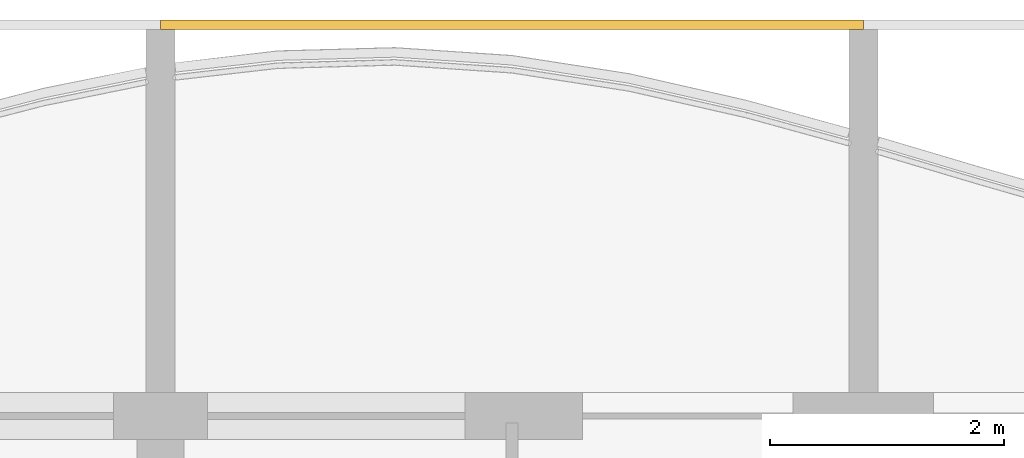
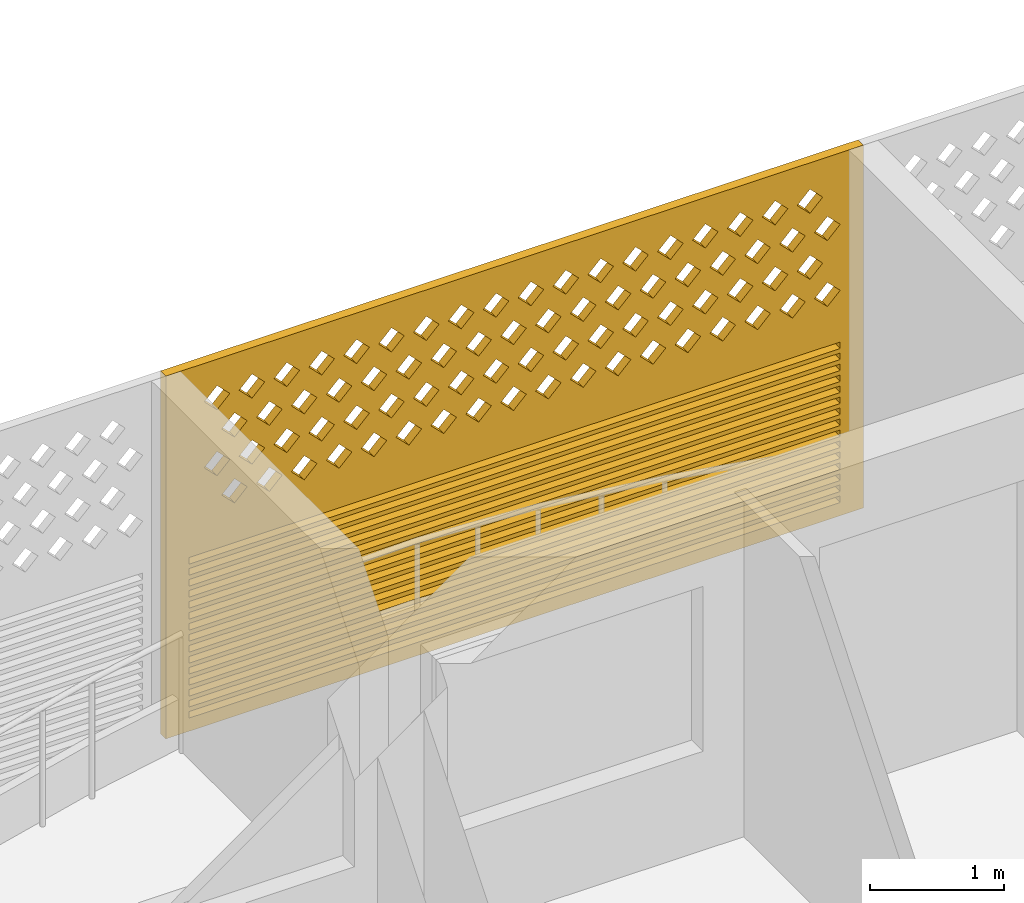
# One storey, part 35 of 44: 1 covering.
"""IFC4 building model written with IfcOpenShell, lengths in metres."""

from ifc_helpers import new_model, si_unit, direction, frame, origin, place, context, subcontext, project, spatial, polyline, outline, extrude, source, transform, mapped, material, material_profile, profile_set, type_object, element, save


model = new_model("IFC4")

# Units and contexts
model_context = context("Model", 3, precision=1e-05, world=origin(), true_north=direction((0.0, 1.0)))
body_context = subcontext(model_context, "Body", "Model", "MODEL_VIEW")
ifc_project = project(units=[si_unit("LENGTHUNIT", "METRE"), si_unit("AREAUNIT", "SQUARE_METRE"), si_unit("VOLUMEUNIT", "CUBIC_METRE"), si_unit("PLANEANGLEUNIT", "RADIAN"), si_unit("MASSUNIT", "GRAM", prefix="KILO")], contexts=[model_context])

# Site, building, storey
site_placement = place(None, origin())
site = spatial("IfcSite", under=ifc_project, at=site_placement, CompositionType="ELEMENT")
building_placement = place(site_placement, origin())
building = spatial("IfcBuilding", under=site, at=building_placement, Name="Poui Terraces", CompositionType="ELEMENT")
storey_placement = place(building_placement, frame((0.0, 0.0, 30.0)))
storey = spatial("IfcBuildingStorey", under=building, at=storey_placement, Name="L07", CompositionType="ELEMENT", Elevation=30.0)

# Covering
ifc_material = material(Name="Terracotta screen", Category="masonry")
ifc_material_profile = material_profile(ifc_material, outline(polyline([(-3.0, -1.64990234375), (3.0, -1.64990234375), (3.0, 1.64990234375), (-3.0, 1.64990234375), (-3.0, -1.64990234375)]), holes=[polyline([(-2.800048828125, 0.39990234375), (-2.68994140625, 0.2900390625), (-2.580078125, 0.39990234375), (-2.68994140625, 0.510009765625), (-2.800048828125, 0.39990234375)]), polyline([(-2.5, 0.39990234375), (-2.389892578125, 0.2900390625), (-2.280029296875, 0.39990234375), (-2.389892578125, 0.510009765625), (-2.5, 0.39990234375)]), polyline([(-2.199951171875, 0.39990234375), (-2.090087890625, 0.2900390625), (-1.97998046875, 0.39990234375), (-2.090087890625, 0.510009765625), (-2.199951171875, 0.39990234375)]), polyline([(-1.89990234375, 0.39990234375), (-1.7900390625, 0.2900390625), (-1.679931640625, 0.39990234375), (-1.7900390625, 0.510009765625), (-1.89990234375, 0.39990234375)]), polyline([(-1.60009765625, 0.39990234375), (-1.489990234375, 0.2900390625), (-1.3798828125, 0.39990234375), (-1.489990234375, 0.510009765625), (-1.60009765625, 0.39990234375)]), polyline([(-1.300048828125, 0.39990234375), (-1.18994140625, 0.2900390625), (-1.080078125, 0.39990234375), (-1.18994140625, 0.510009765625), (-1.300048828125, 0.39990234375)]), polyline([(-1.0, 0.39990234375), (-0.889892578125, 0.2900390625), (-0.780029296875, 0.39990234375), (-0.889892578125, 0.510009765625), (-1.0, 0.39990234375)]), polyline([(-0.699951171875, 0.39990234375), (-0.590087890625, 0.2900390625), (-0.47998046875, 0.39990234375), (-0.590087890625, 0.510009765625), (-0.699951171875, 0.39990234375)]), polyline([(-0.39990234375, 0.39990234375), (-0.2900390625, 0.2900390625), (-0.179931640625, 0.39990234375), (-0.2900390625, 0.510009765625), (-0.39990234375, 0.39990234375)]), polyline([(-0.10009765625, 0.39990234375), (0.010009765625, 0.2900390625), (0.1201171875, 0.39990234375), (0.010009765625, 0.510009765625), (-0.10009765625, 0.39990234375)]), polyline([(0.199951171875, 0.39990234375), (0.31005859375, 0.2900390625), (0.419921875, 0.39990234375), (0.31005859375, 0.510009765625), (0.199951171875, 0.39990234375)]), polyline([(0.5, 0.39990234375), (0.610107421875, 0.2900390625), (0.719970703125, 0.39990234375), (0.610107421875, 0.510009765625), (0.5, 0.39990234375)]), polyline([(0.800048828125, 0.39990234375), (0.909912109375, 0.2900390625), (1.02001953125, 0.39990234375), (0.909912109375, 0.510009765625), (0.800048828125, 0.39990234375)]), polyline([(1.10009765625, 0.39990234375), (1.2099609375, 0.2900390625), (1.320068359375, 0.39990234375), (1.2099609375, 0.510009765625), (1.10009765625, 0.39990234375)]), polyline([(1.39990234375, 0.39990234375), (1.510009765625, 0.2900390625), (1.6201171875, 0.39990234375), (1.510009765625, 0.510009765625), (1.39990234375, 0.39990234375)]), polyline([(1.699951171875, 0.39990234375), (1.81005859375, 0.2900390625), (1.919921875, 0.39990234375), (1.81005859375, 0.510009765625), (1.699951171875, 0.39990234375)]), polyline([(2.0, 0.39990234375), (2.110107421875, 0.2900390625), (2.219970703125, 0.39990234375), (2.110107421875, 0.510009765625), (2.0, 0.39990234375)]), polyline([(2.300048828125, 0.39990234375), (2.409912109375, 0.2900390625), (2.52001953125, 0.39990234375), (2.409912109375, 0.510009765625), (2.300048828125, 0.39990234375)]), polyline([(-2.64990234375, 0.699951171875), (-2.5400390625, 0.590087890625), (-2.429931640625, 0.699951171875), (-2.5400390625, 0.81005859375), (-2.64990234375, 0.699951171875)]), polyline([(-2.35009765625, 0.699951171875), (-2.239990234375, 0.590087890625), (-2.1298828125, 0.699951171875), (-2.239990234375, 0.81005859375), (-2.35009765625, 0.699951171875)]), polyline([(-2.050048828125, 0.699951171875), (-1.93994140625, 0.590087890625), (-1.830078125, 0.699951171875), (-1.93994140625, 0.81005859375), (-2.050048828125, 0.699951171875)]), polyline([(-1.75, 0.699951171875), (-1.639892578125, 0.590087890625), (-1.530029296875, 0.699951171875), (-1.639892578125, 0.81005859375), (-1.75, 0.699951171875)]), polyline([(-1.449951171875, 0.699951171875), (-1.340087890625, 0.590087890625), (-1.22998046875, 0.699951171875), (-1.340087890625, 0.81005859375), (-1.449951171875, 0.699951171875)]), polyline([(-1.14990234375, 0.699951171875), (-1.0400390625, 0.590087890625), (-0.929931640625, 0.699951171875), (-1.0400390625, 0.81005859375), (-1.14990234375, 0.699951171875)]), polyline([(-0.85009765625, 0.699951171875), (-0.739990234375, 0.590087890625), (-0.6298828125, 0.699951171875), (-0.739990234375, 0.81005859375), (-0.85009765625, 0.699951171875)]), polyline([(-0.550048828125, 0.699951171875), (-0.43994140625, 0.590087890625), (-0.330078125, 0.699951171875), (-0.43994140625, 0.81005859375), (-0.550048828125, 0.699951171875)]), polyline([(-0.25, 0.699951171875), (-0.139892578125, 0.590087890625), (-0.030029296875, 0.699951171875), (-0.139892578125, 0.81005859375), (-0.25, 0.699951171875)]), polyline([(0.050048828125, 0.699951171875), (0.159912109375, 0.590087890625), (0.27001953125, 0.699951171875), (0.159912109375, 0.81005859375), (0.050048828125, 0.699951171875)]), polyline([(0.35009765625, 0.699951171875), (0.4599609375, 0.590087890625), (0.570068359375, 0.699951171875), (0.4599609375, 0.81005859375), (0.35009765625, 0.699951171875)]), polyline([(0.64990234375, 0.699951171875), (0.760009765625, 0.590087890625), (0.8701171875, 0.699951171875), (0.760009765625, 0.81005859375), (0.64990234375, 0.699951171875)]), polyline([(0.949951171875, 0.699951171875), (1.06005859375, 0.590087890625), (1.169921875, 0.699951171875), (1.06005859375, 0.81005859375), (0.949951171875, 0.699951171875)]), polyline([(1.25, 0.699951171875), (1.360107421875, 0.590087890625), (1.469970703125, 0.699951171875), (1.360107421875, 0.81005859375), (1.25, 0.699951171875)]), polyline([(1.550048828125, 0.699951171875), (1.659912109375, 0.590087890625), (1.77001953125, 0.699951171875), (1.659912109375, 0.81005859375), (1.550048828125, 0.699951171875)]), polyline([(1.85009765625, 0.699951171875), (1.9599609375, 0.590087890625), (2.070068359375, 0.699951171875), (1.9599609375, 0.81005859375), (1.85009765625, 0.699951171875)]), polyline([(2.14990234375, 0.699951171875), (2.260009765625, 0.590087890625), (2.3701171875, 0.699951171875), (2.260009765625, 0.81005859375), (2.14990234375, 0.699951171875)]), polyline([(2.449951171875, 0.699951171875), (2.56005859375, 0.590087890625), (2.669921875, 0.699951171875), (2.56005859375, 0.81005859375), (2.449951171875, 0.699951171875)]), polyline([(-2.800048828125, 1.0), (-2.68994140625, 0.889892578125), (-2.580078125, 1.0), (-2.68994140625, 1.110107421875), (-2.800048828125, 1.0)]), polyline([(-2.5, 1.0), (-2.389892578125, 0.889892578125), (-2.280029296875, 1.0), (-2.389892578125, 1.110107421875), (-2.5, 1.0)]), polyline([(-2.199951171875, 1.0), (-2.090087890625, 0.889892578125), (-1.97998046875, 1.0), (-2.090087890625, 1.110107421875), (-2.199951171875, 1.0)]), polyline([(-1.89990234375, 1.0), (-1.7900390625, 0.889892578125), (-1.679931640625, 1.0), (-1.7900390625, 1.110107421875), (-1.89990234375, 1.0)]), polyline([(-1.60009765625, 1.0), (-1.489990234375, 0.889892578125), (-1.3798828125, 1.0), (-1.489990234375, 1.110107421875), (-1.60009765625, 1.0)]), polyline([(-1.300048828125, 1.0), (-1.18994140625, 0.889892578125), (-1.080078125, 1.0), (-1.18994140625, 1.110107421875), (-1.300048828125, 1.0)]), polyline([(-1.0, 1.0), (-0.889892578125, 0.889892578125), (-0.780029296875, 1.0), (-0.889892578125, 1.110107421875), (-1.0, 1.0)]), polyline([(-0.699951171875, 1.0), (-0.590087890625, 0.889892578125), (-0.47998046875, 1.0), (-0.590087890625, 1.110107421875), (-0.699951171875, 1.0)]), polyline([(-0.39990234375, 1.0), (-0.2900390625, 0.889892578125), (-0.179931640625, 1.0), (-0.2900390625, 1.110107421875), (-0.39990234375, 1.0)]), polyline([(-0.10009765625, 1.0), (0.010009765625, 0.889892578125), (0.1201171875, 1.0), (0.010009765625, 1.110107421875), (-0.10009765625, 1.0)]), polyline([(0.199951171875, 1.0), (0.31005859375, 0.889892578125), (0.419921875, 1.0), (0.31005859375, 1.110107421875), (0.199951171875, 1.0)]), polyline([(0.5, 1.0), (0.610107421875, 0.889892578125), (0.719970703125, 1.0), (0.610107421875, 1.110107421875), (0.5, 1.0)]), polyline([(0.800048828125, 1.0), (0.909912109375, 0.889892578125), (1.02001953125, 1.0), (0.909912109375, 1.110107421875), (0.800048828125, 1.0)]), polyline([(1.10009765625, 1.0), (1.2099609375, 0.889892578125), (1.320068359375, 1.0), (1.2099609375, 1.110107421875), (1.10009765625, 1.0)]), polyline([(1.39990234375, 1.0), (1.510009765625, 0.889892578125), (1.6201171875, 1.0), (1.510009765625, 1.110107421875), (1.39990234375, 1.0)]), polyline([(1.699951171875, 1.0), (1.81005859375, 0.889892578125), (1.919921875, 1.0), (1.81005859375, 1.110107421875), (1.699951171875, 1.0)]), polyline([(2.0, 1.0), (2.110107421875, 0.889892578125), (2.219970703125, 1.0), (2.110107421875, 1.110107421875), (2.0, 1.0)]), polyline([(2.300048828125, 1.0), (2.409912109375, 0.889892578125), (2.52001953125, 1.0), (2.409912109375, 1.110107421875), (2.300048828125, 1.0)]), polyline([(-2.64990234375, 1.300048828125), (-2.5400390625, 1.18994140625), (-2.429931640625, 1.300048828125), (-2.5400390625, 1.409912109375), (-2.64990234375, 1.300048828125)]), polyline([(-2.35009765625, 1.300048828125), (-2.239990234375, 1.18994140625), (-2.1298828125, 1.300048828125), (-2.239990234375, 1.409912109375), (-2.35009765625, 1.300048828125)]), polyline([(-2.050048828125, 1.300048828125), (-1.93994140625, 1.18994140625), (-1.830078125, 1.300048828125), (-1.93994140625, 1.409912109375), (-2.050048828125, 1.300048828125)]), polyline([(-1.75, 1.300048828125), (-1.639892578125, 1.18994140625), (-1.530029296875, 1.300048828125), (-1.639892578125, 1.409912109375), (-1.75, 1.300048828125)]), polyline([(-1.449951171875, 1.300048828125), (-1.340087890625, 1.18994140625), (-1.22998046875, 1.300048828125), (-1.340087890625, 1.409912109375), (-1.449951171875, 1.300048828125)]), polyline([(-1.14990234375, 1.300048828125), (-1.0400390625, 1.18994140625), (-0.929931640625, 1.300048828125), (-1.0400390625, 1.409912109375), (-1.14990234375, 1.300048828125)]), polyline([(-0.85009765625, 1.300048828125), (-0.739990234375, 1.18994140625), (-0.6298828125, 1.300048828125), (-0.739990234375, 1.409912109375), (-0.85009765625, 1.300048828125)]), polyline([(-0.550048828125, 1.300048828125), (-0.43994140625, 1.18994140625), (-0.330078125, 1.300048828125), (-0.43994140625, 1.409912109375), (-0.550048828125, 1.300048828125)]), polyline([(-0.25, 1.300048828125), (-0.139892578125, 1.18994140625), (-0.030029296875, 1.300048828125), (-0.139892578125, 1.409912109375), (-0.25, 1.300048828125)]), polyline([(0.050048828125, 1.300048828125), (0.159912109375, 1.18994140625), (0.27001953125, 1.300048828125), (0.159912109375, 1.409912109375), (0.050048828125, 1.300048828125)]), polyline([(0.35009765625, 1.300048828125), (0.4599609375, 1.18994140625), (0.570068359375, 1.300048828125), (0.4599609375, 1.409912109375), (0.35009765625, 1.300048828125)]), polyline([(0.64990234375, 1.300048828125), (0.760009765625, 1.18994140625), (0.8701171875, 1.300048828125), (0.760009765625, 1.409912109375), (0.64990234375, 1.300048828125)]), polyline([(0.949951171875, 1.300048828125), (1.06005859375, 1.18994140625), (1.169921875, 1.300048828125), (1.06005859375, 1.409912109375), (0.949951171875, 1.300048828125)]), polyline([(1.25, 1.300048828125), (1.360107421875, 1.18994140625), (1.469970703125, 1.300048828125), (1.360107421875, 1.409912109375), (1.25, 1.300048828125)]), polyline([(1.550048828125, 1.300048828125), (1.659912109375, 1.18994140625), (1.77001953125, 1.300048828125), (1.659912109375, 1.409912109375), (1.550048828125, 1.300048828125)]), polyline([(1.85009765625, 1.300048828125), (1.9599609375, 1.18994140625), (2.070068359375, 1.300048828125), (1.9599609375, 1.409912109375), (1.85009765625, 1.300048828125)]), polyline([(2.14990234375, 1.300048828125), (2.260009765625, 1.18994140625), (2.3701171875, 1.300048828125), (2.260009765625, 1.409912109375), (2.14990234375, 1.300048828125)]), polyline([(2.449951171875, 1.300048828125), (2.56005859375, 1.18994140625), (2.669921875, 1.300048828125), (2.56005859375, 1.409912109375), (2.449951171875, 1.300048828125)]), polyline([(-2.800048828125, -1.530029296875), (2.800048828125, -1.530029296875), (2.800048828125, -1.469970703125), (-2.800048828125, -1.469970703125), (-2.800048828125, -1.530029296875)]), polyline([(-2.800048828125, -1.429931640625), (2.800048828125, -1.429931640625), (2.800048828125, -1.3701171875), (-2.800048828125, -1.3701171875), (-2.800048828125, -1.429931640625)]), polyline([(-2.800048828125, -1.330078125), (2.800048828125, -1.330078125), (2.800048828125, -1.27001953125), (-2.800048828125, -1.27001953125), (-2.800048828125, -1.330078125)]), polyline([(-2.800048828125, -1.22998046875), (2.800048828125, -1.22998046875), (2.800048828125, -1.169921875), (-2.800048828125, -1.169921875), (-2.800048828125, -1.22998046875)]), polyline([(-2.800048828125, -1.1298828125), (2.800048828125, -1.1298828125), (2.800048828125, -1.070068359375), (-2.800048828125, -1.070068359375), (-2.800048828125, -1.1298828125)]), polyline([(-2.800048828125, -1.030029296875), (2.800048828125, -1.030029296875), (2.800048828125, -0.969970703125), (-2.800048828125, -0.969970703125), (-2.800048828125, -1.030029296875)]), polyline([(-2.800048828125, -0.929931640625), (2.800048828125, -0.929931640625), (2.800048828125, -0.8701171875), (-2.800048828125, -0.8701171875), (-2.800048828125, -0.929931640625)]), polyline([(-2.800048828125, -0.830078125), (2.800048828125, -0.830078125), (2.800048828125, -0.77001953125), (-2.800048828125, -0.77001953125), (-2.800048828125, -0.830078125)]), polyline([(-2.800048828125, -0.72998046875), (2.800048828125, -0.72998046875), (2.800048828125, -0.669921875), (-2.800048828125, -0.669921875), (-2.800048828125, -0.72998046875)]), polyline([(-2.800048828125, -0.6298828125), (2.800048828125, -0.6298828125), (2.800048828125, -0.570068359375), (-2.800048828125, -0.570068359375), (-2.800048828125, -0.6298828125)]), polyline([(-2.800048828125, -0.530029296875), (2.800048828125, -0.530029296875), (2.800048828125, -0.469970703125), (-2.800048828125, -0.469970703125), (-2.800048828125, -0.530029296875)]), polyline([(-2.800048828125, -0.429931640625), (2.800048828125, -0.429931640625), (2.800048828125, -0.3701171875), (-2.800048828125, -0.3701171875), (-2.800048828125, -0.429931640625)]), polyline([(-2.800048828125, -0.330078125), (2.800048828125, -0.330078125), (2.800048828125, -0.27001953125), (-2.800048828125, -0.27001953125), (-2.800048828125, -0.330078125)]), polyline([(-2.800048828125, -0.22998046875), (2.800048828125, -0.22998046875), (2.800048828125, -0.169921875), (-2.800048828125, -0.169921875), (-2.800048828125, -0.22998046875)]), polyline([(-2.800048828125, -0.1298828125), (2.800048828125, -0.1298828125), (2.800048828125, -0.070068359375), (-2.800048828125, -0.070068359375), (-2.800048828125, -0.1298828125)])]), Name="TERRACOTTA SCREEN AND JALOUSIE LOUVRE 6000X3300")
ifc_profile_set = profile_set([ifc_material_profile], Name="Terracotta screen")
covering_type = type_object("IfcCoveringType", Name="TERRACOTTA SCREEN AND JALOUSIE LOUVRE 6000X3300", PredefinedType="CLADDING", material=ifc_profile_set)
shared_shape = source(origin(), body_context, "Body", "SweptSolid", [
    extrude(outline(polyline([(-3.0, -1.64990234375), (3.0, -1.64990234375), (3.0, 1.64990234375), (-3.0, 1.64990234375), (-3.0, -1.64990234375)]), holes=[polyline([(-2.800048828125, 0.39990234375), (-2.68994140625, 0.2900390625), (-2.580078125, 0.39990234375), (-2.68994140625, 0.510009765625), (-2.800048828125, 0.39990234375)]), polyline([(-2.5, 0.39990234375), (-2.389892578125, 0.2900390625), (-2.280029296875, 0.39990234375), (-2.389892578125, 0.510009765625), (-2.5, 0.39990234375)]), polyline([(-2.199951171875, 0.39990234375), (-2.090087890625, 0.2900390625), (-1.97998046875, 0.39990234375), (-2.090087890625, 0.510009765625), (-2.199951171875, 0.39990234375)]), polyline([(-1.89990234375, 0.39990234375), (-1.7900390625, 0.2900390625), (-1.679931640625, 0.39990234375), (-1.7900390625, 0.510009765625), (-1.89990234375, 0.39990234375)]), polyline([(-1.60009765625, 0.39990234375), (-1.489990234375, 0.2900390625), (-1.3798828125, 0.39990234375), (-1.489990234375, 0.510009765625), (-1.60009765625, 0.39990234375)]), polyline([(-1.300048828125, 0.39990234375), (-1.18994140625, 0.2900390625), (-1.080078125, 0.39990234375), (-1.18994140625, 0.510009765625), (-1.300048828125, 0.39990234375)]), polyline([(-1.0, 0.39990234375), (-0.889892578125, 0.2900390625), (-0.780029296875, 0.39990234375), (-0.889892578125, 0.510009765625), (-1.0, 0.39990234375)]), polyline([(-0.699951171875, 0.39990234375), (-0.590087890625, 0.2900390625), (-0.47998046875, 0.39990234375), (-0.590087890625, 0.510009765625), (-0.699951171875, 0.39990234375)]), polyline([(-0.39990234375, 0.39990234375), (-0.2900390625, 0.2900390625), (-0.179931640625, 0.39990234375), (-0.2900390625, 0.510009765625), (-0.39990234375, 0.39990234375)]), polyline([(-0.10009765625, 0.39990234375), (0.010009765625, 0.2900390625), (0.1201171875, 0.39990234375), (0.010009765625, 0.510009765625), (-0.10009765625, 0.39990234375)]), polyline([(0.199951171875, 0.39990234375), (0.31005859375, 0.2900390625), (0.419921875, 0.39990234375), (0.31005859375, 0.510009765625), (0.199951171875, 0.39990234375)]), polyline([(0.5, 0.39990234375), (0.610107421875, 0.2900390625), (0.719970703125, 0.39990234375), (0.610107421875, 0.510009765625), (0.5, 0.39990234375)]), polyline([(0.800048828125, 0.39990234375), (0.909912109375, 0.2900390625), (1.02001953125, 0.39990234375), (0.909912109375, 0.510009765625), (0.800048828125, 0.39990234375)]), polyline([(1.10009765625, 0.39990234375), (1.2099609375, 0.2900390625), (1.320068359375, 0.39990234375), (1.2099609375, 0.510009765625), (1.10009765625, 0.39990234375)]), polyline([(1.39990234375, 0.39990234375), (1.510009765625, 0.2900390625), (1.6201171875, 0.39990234375), (1.510009765625, 0.510009765625), (1.39990234375, 0.39990234375)]), polyline([(1.699951171875, 0.39990234375), (1.81005859375, 0.2900390625), (1.919921875, 0.39990234375), (1.81005859375, 0.510009765625), (1.699951171875, 0.39990234375)]), polyline([(2.0, 0.39990234375), (2.110107421875, 0.2900390625), (2.219970703125, 0.39990234375), (2.110107421875, 0.510009765625), (2.0, 0.39990234375)]), polyline([(2.300048828125, 0.39990234375), (2.409912109375, 0.2900390625), (2.52001953125, 0.39990234375), (2.409912109375, 0.510009765625), (2.300048828125, 0.39990234375)]), polyline([(-2.64990234375, 0.699951171875), (-2.5400390625, 0.590087890625), (-2.429931640625, 0.699951171875), (-2.5400390625, 0.81005859375), (-2.64990234375, 0.699951171875)]), polyline([(-2.35009765625, 0.699951171875), (-2.239990234375, 0.590087890625), (-2.1298828125, 0.699951171875), (-2.239990234375, 0.81005859375), (-2.35009765625, 0.699951171875)]), polyline([(-2.050048828125, 0.699951171875), (-1.93994140625, 0.590087890625), (-1.830078125, 0.699951171875), (-1.93994140625, 0.81005859375), (-2.050048828125, 0.699951171875)]), polyline([(-1.75, 0.699951171875), (-1.639892578125, 0.590087890625), (-1.530029296875, 0.699951171875), (-1.639892578125, 0.81005859375), (-1.75, 0.699951171875)]), polyline([(-1.449951171875, 0.699951171875), (-1.340087890625, 0.590087890625), (-1.22998046875, 0.699951171875), (-1.340087890625, 0.81005859375), (-1.449951171875, 0.699951171875)]), polyline([(-1.14990234375, 0.699951171875), (-1.0400390625, 0.590087890625), (-0.929931640625, 0.699951171875), (-1.0400390625, 0.81005859375), (-1.14990234375, 0.699951171875)]), polyline([(-0.85009765625, 0.699951171875), (-0.739990234375, 0.590087890625), (-0.6298828125, 0.699951171875), (-0.739990234375, 0.81005859375), (-0.85009765625, 0.699951171875)]), polyline([(-0.550048828125, 0.699951171875), (-0.43994140625, 0.590087890625), (-0.330078125, 0.699951171875), (-0.43994140625, 0.81005859375), (-0.550048828125, 0.699951171875)]), polyline([(-0.25, 0.699951171875), (-0.139892578125, 0.590087890625), (-0.030029296875, 0.699951171875), (-0.139892578125, 0.81005859375), (-0.25, 0.699951171875)]), polyline([(0.050048828125, 0.699951171875), (0.159912109375, 0.590087890625), (0.27001953125, 0.699951171875), (0.159912109375, 0.81005859375), (0.050048828125, 0.699951171875)]), polyline([(0.35009765625, 0.699951171875), (0.4599609375, 0.590087890625), (0.570068359375, 0.699951171875), (0.4599609375, 0.81005859375), (0.35009765625, 0.699951171875)]), polyline([(0.64990234375, 0.699951171875), (0.760009765625, 0.590087890625), (0.8701171875, 0.699951171875), (0.760009765625, 0.81005859375), (0.64990234375, 0.699951171875)]), polyline([(0.949951171875, 0.699951171875), (1.06005859375, 0.590087890625), (1.169921875, 0.699951171875), (1.06005859375, 0.81005859375), (0.949951171875, 0.699951171875)]), polyline([(1.25, 0.699951171875), (1.360107421875, 0.590087890625), (1.469970703125, 0.699951171875), (1.360107421875, 0.81005859375), (1.25, 0.699951171875)]), polyline([(1.550048828125, 0.699951171875), (1.659912109375, 0.590087890625), (1.77001953125, 0.699951171875), (1.659912109375, 0.81005859375), (1.550048828125, 0.699951171875)]), polyline([(1.85009765625, 0.699951171875), (1.9599609375, 0.590087890625), (2.070068359375, 0.699951171875), (1.9599609375, 0.81005859375), (1.85009765625, 0.699951171875)]), polyline([(2.14990234375, 0.699951171875), (2.260009765625, 0.590087890625), (2.3701171875, 0.699951171875), (2.260009765625, 0.81005859375), (2.14990234375, 0.699951171875)]), polyline([(2.449951171875, 0.699951171875), (2.56005859375, 0.590087890625), (2.669921875, 0.699951171875), (2.56005859375, 0.81005859375), (2.449951171875, 0.699951171875)]), polyline([(-2.800048828125, 1.0), (-2.68994140625, 0.889892578125), (-2.580078125, 1.0), (-2.68994140625, 1.110107421875), (-2.800048828125, 1.0)]), polyline([(-2.5, 1.0), (-2.389892578125, 0.889892578125), (-2.280029296875, 1.0), (-2.389892578125, 1.110107421875), (-2.5, 1.0)]), polyline([(-2.199951171875, 1.0), (-2.090087890625, 0.889892578125), (-1.97998046875, 1.0), (-2.090087890625, 1.110107421875), (-2.199951171875, 1.0)]), polyline([(-1.89990234375, 1.0), (-1.7900390625, 0.889892578125), (-1.679931640625, 1.0), (-1.7900390625, 1.110107421875), (-1.89990234375, 1.0)]), polyline([(-1.60009765625, 1.0), (-1.489990234375, 0.889892578125), (-1.3798828125, 1.0), (-1.489990234375, 1.110107421875), (-1.60009765625, 1.0)]), polyline([(-1.300048828125, 1.0), (-1.18994140625, 0.889892578125), (-1.080078125, 1.0), (-1.18994140625, 1.110107421875), (-1.300048828125, 1.0)]), polyline([(-1.0, 1.0), (-0.889892578125, 0.889892578125), (-0.780029296875, 1.0), (-0.889892578125, 1.110107421875), (-1.0, 1.0)]), polyline([(-0.699951171875, 1.0), (-0.590087890625, 0.889892578125), (-0.47998046875, 1.0), (-0.590087890625, 1.110107421875), (-0.699951171875, 1.0)]), polyline([(-0.39990234375, 1.0), (-0.2900390625, 0.889892578125), (-0.179931640625, 1.0), (-0.2900390625, 1.110107421875), (-0.39990234375, 1.0)]), polyline([(-0.10009765625, 1.0), (0.010009765625, 0.889892578125), (0.1201171875, 1.0), (0.010009765625, 1.110107421875), (-0.10009765625, 1.0)]), polyline([(0.199951171875, 1.0), (0.31005859375, 0.889892578125), (0.419921875, 1.0), (0.31005859375, 1.110107421875), (0.199951171875, 1.0)]), polyline([(0.5, 1.0), (0.610107421875, 0.889892578125), (0.719970703125, 1.0), (0.610107421875, 1.110107421875), (0.5, 1.0)]), polyline([(0.800048828125, 1.0), (0.909912109375, 0.889892578125), (1.02001953125, 1.0), (0.909912109375, 1.110107421875), (0.800048828125, 1.0)]), polyline([(1.10009765625, 1.0), (1.2099609375, 0.889892578125), (1.320068359375, 1.0), (1.2099609375, 1.110107421875), (1.10009765625, 1.0)]), polyline([(1.39990234375, 1.0), (1.510009765625, 0.889892578125), (1.6201171875, 1.0), (1.510009765625, 1.110107421875), (1.39990234375, 1.0)]), polyline([(1.699951171875, 1.0), (1.81005859375, 0.889892578125), (1.919921875, 1.0), (1.81005859375, 1.110107421875), (1.699951171875, 1.0)]), polyline([(2.0, 1.0), (2.110107421875, 0.889892578125), (2.219970703125, 1.0), (2.110107421875, 1.110107421875), (2.0, 1.0)]), polyline([(2.300048828125, 1.0), (2.409912109375, 0.889892578125), (2.52001953125, 1.0), (2.409912109375, 1.110107421875), (2.300048828125, 1.0)]), polyline([(-2.64990234375, 1.300048828125), (-2.5400390625, 1.18994140625), (-2.429931640625, 1.300048828125), (-2.5400390625, 1.409912109375), (-2.64990234375, 1.300048828125)]), polyline([(-2.35009765625, 1.300048828125), (-2.239990234375, 1.18994140625), (-2.1298828125, 1.300048828125), (-2.239990234375, 1.409912109375), (-2.35009765625, 1.300048828125)]), polyline([(-2.050048828125, 1.300048828125), (-1.93994140625, 1.18994140625), (-1.830078125, 1.300048828125), (-1.93994140625, 1.409912109375), (-2.050048828125, 1.300048828125)]), polyline([(-1.75, 1.300048828125), (-1.639892578125, 1.18994140625), (-1.530029296875, 1.300048828125), (-1.639892578125, 1.409912109375), (-1.75, 1.300048828125)]), polyline([(-1.449951171875, 1.300048828125), (-1.340087890625, 1.18994140625), (-1.22998046875, 1.300048828125), (-1.340087890625, 1.409912109375), (-1.449951171875, 1.300048828125)]), polyline([(-1.14990234375, 1.300048828125), (-1.0400390625, 1.18994140625), (-0.929931640625, 1.300048828125), (-1.0400390625, 1.409912109375), (-1.14990234375, 1.300048828125)]), polyline([(-0.85009765625, 1.300048828125), (-0.739990234375, 1.18994140625), (-0.6298828125, 1.300048828125), (-0.739990234375, 1.409912109375), (-0.85009765625, 1.300048828125)]), polyline([(-0.550048828125, 1.300048828125), (-0.43994140625, 1.18994140625), (-0.330078125, 1.300048828125), (-0.43994140625, 1.409912109375), (-0.550048828125, 1.300048828125)]), polyline([(-0.25, 1.300048828125), (-0.139892578125, 1.18994140625), (-0.030029296875, 1.300048828125), (-0.139892578125, 1.409912109375), (-0.25, 1.300048828125)]), polyline([(0.050048828125, 1.300048828125), (0.159912109375, 1.18994140625), (0.27001953125, 1.300048828125), (0.159912109375, 1.409912109375), (0.050048828125, 1.300048828125)]), polyline([(0.35009765625, 1.300048828125), (0.4599609375, 1.18994140625), (0.570068359375, 1.300048828125), (0.4599609375, 1.409912109375), (0.35009765625, 1.300048828125)]), polyline([(0.64990234375, 1.300048828125), (0.760009765625, 1.18994140625), (0.8701171875, 1.300048828125), (0.760009765625, 1.409912109375), (0.64990234375, 1.300048828125)]), polyline([(0.949951171875, 1.300048828125), (1.06005859375, 1.18994140625), (1.169921875, 1.300048828125), (1.06005859375, 1.409912109375), (0.949951171875, 1.300048828125)]), polyline([(1.25, 1.300048828125), (1.360107421875, 1.18994140625), (1.469970703125, 1.300048828125), (1.360107421875, 1.409912109375), (1.25, 1.300048828125)]), polyline([(1.550048828125, 1.300048828125), (1.659912109375, 1.18994140625), (1.77001953125, 1.300048828125), (1.659912109375, 1.409912109375), (1.550048828125, 1.300048828125)]), polyline([(1.85009765625, 1.300048828125), (1.9599609375, 1.18994140625), (2.070068359375, 1.300048828125), (1.9599609375, 1.409912109375), (1.85009765625, 1.300048828125)]), polyline([(2.14990234375, 1.300048828125), (2.260009765625, 1.18994140625), (2.3701171875, 1.300048828125), (2.260009765625, 1.409912109375), (2.14990234375, 1.300048828125)]), polyline([(2.449951171875, 1.300048828125), (2.56005859375, 1.18994140625), (2.669921875, 1.300048828125), (2.56005859375, 1.409912109375), (2.449951171875, 1.300048828125)]), polyline([(-2.800048828125, -1.530029296875), (2.800048828125, -1.530029296875), (2.800048828125, -1.469970703125), (-2.800048828125, -1.469970703125), (-2.800048828125, -1.530029296875)]), polyline([(-2.800048828125, -1.429931640625), (2.800048828125, -1.429931640625), (2.800048828125, -1.3701171875), (-2.800048828125, -1.3701171875), (-2.800048828125, -1.429931640625)]), polyline([(-2.800048828125, -1.330078125), (2.800048828125, -1.330078125), (2.800048828125, -1.27001953125), (-2.800048828125, -1.27001953125), (-2.800048828125, -1.330078125)]), polyline([(-2.800048828125, -1.22998046875), (2.800048828125, -1.22998046875), (2.800048828125, -1.169921875), (-2.800048828125, -1.169921875), (-2.800048828125, -1.22998046875)]), polyline([(-2.800048828125, -1.1298828125), (2.800048828125, -1.1298828125), (2.800048828125, -1.070068359375), (-2.800048828125, -1.070068359375), (-2.800048828125, -1.1298828125)]), polyline([(-2.800048828125, -1.030029296875), (2.800048828125, -1.030029296875), (2.800048828125, -0.969970703125), (-2.800048828125, -0.969970703125), (-2.800048828125, -1.030029296875)]), polyline([(-2.800048828125, -0.929931640625), (2.800048828125, -0.929931640625), (2.800048828125, -0.8701171875), (-2.800048828125, -0.8701171875), (-2.800048828125, -0.929931640625)]), polyline([(-2.800048828125, -0.830078125), (2.800048828125, -0.830078125), (2.800048828125, -0.77001953125), (-2.800048828125, -0.77001953125), (-2.800048828125, -0.830078125)]), polyline([(-2.800048828125, -0.72998046875), (2.800048828125, -0.72998046875), (2.800048828125, -0.669921875), (-2.800048828125, -0.669921875), (-2.800048828125, -0.72998046875)]), polyline([(-2.800048828125, -0.6298828125), (2.800048828125, -0.6298828125), (2.800048828125, -0.570068359375), (-2.800048828125, -0.570068359375), (-2.800048828125, -0.6298828125)]), polyline([(-2.800048828125, -0.530029296875), (2.800048828125, -0.530029296875), (2.800048828125, -0.469970703125), (-2.800048828125, -0.469970703125), (-2.800048828125, -0.530029296875)]), polyline([(-2.800048828125, -0.429931640625), (2.800048828125, -0.429931640625), (2.800048828125, -0.3701171875), (-2.800048828125, -0.3701171875), (-2.800048828125, -0.429931640625)]), polyline([(-2.800048828125, -0.330078125), (2.800048828125, -0.330078125), (2.800048828125, -0.27001953125), (-2.800048828125, -0.27001953125), (-2.800048828125, -0.330078125)]), polyline([(-2.800048828125, -0.22998046875), (2.800048828125, -0.22998046875), (2.800048828125, -0.169921875), (-2.800048828125, -0.169921875), (-2.800048828125, -0.22998046875)]), polyline([(-2.800048828125, -0.1298828125), (2.800048828125, -0.1298828125), (2.800048828125, -0.070068359375), (-2.800048828125, -0.070068359375), (-2.800048828125, -0.1298828125)])]), origin(), (0.0, 0.0, 1.0), 0.079833984375),
])
covering_placement = place(storey_placement, frame((57.0, 48.10009765625, 1.449951171875), z_axis=(0.0, 1.0, 0.0), x_axis=(-1.0, 0.0, 0.0)))
element("IfcCovering", 1, at=covering_placement, inside=storey, type_object=covering_type, Name="SOLAR SCREEN AND JALOUSIE LOUVRE", PredefinedType="CLADDING", context=body_context, shape_type="MappedRepresentation", body=[
    mapped(shared_shape, transform((0.0, 0.0, 0.0))),
])

save(model, "model.ifc")
